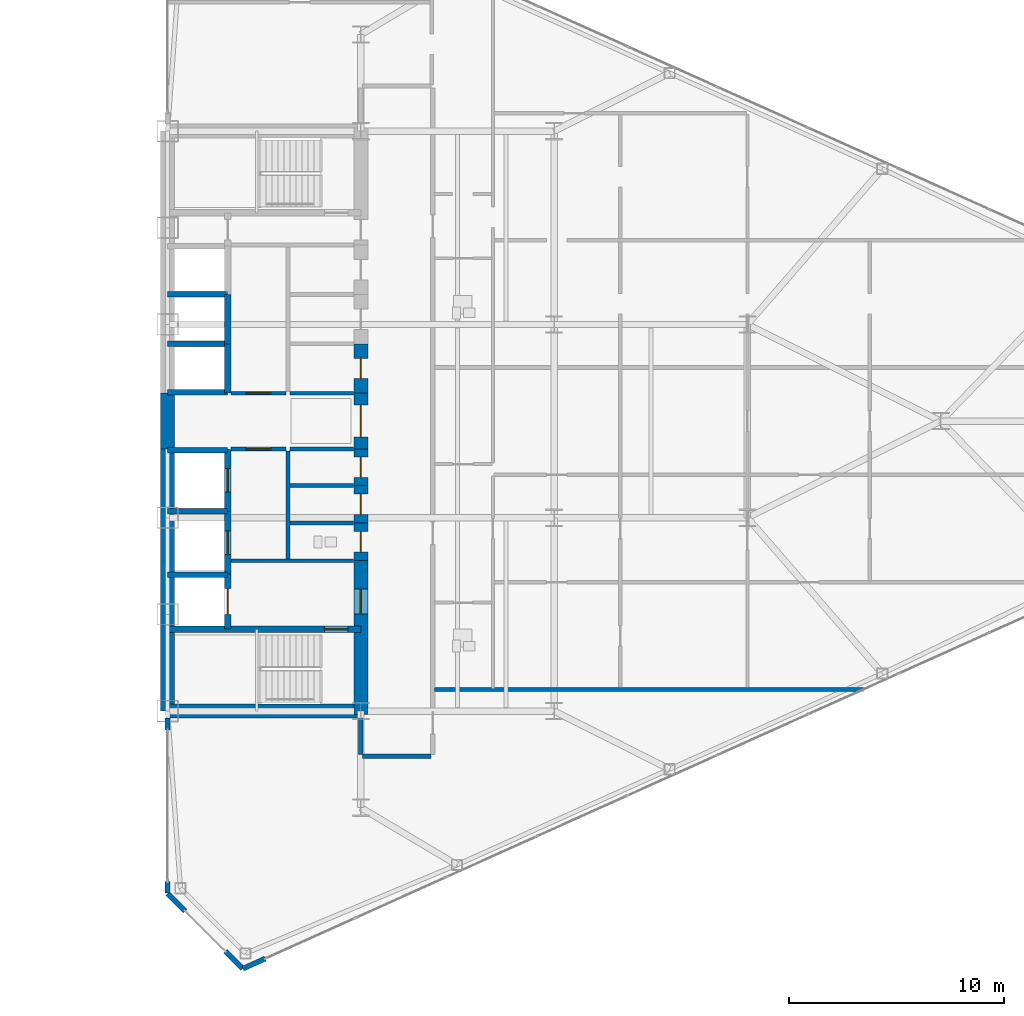
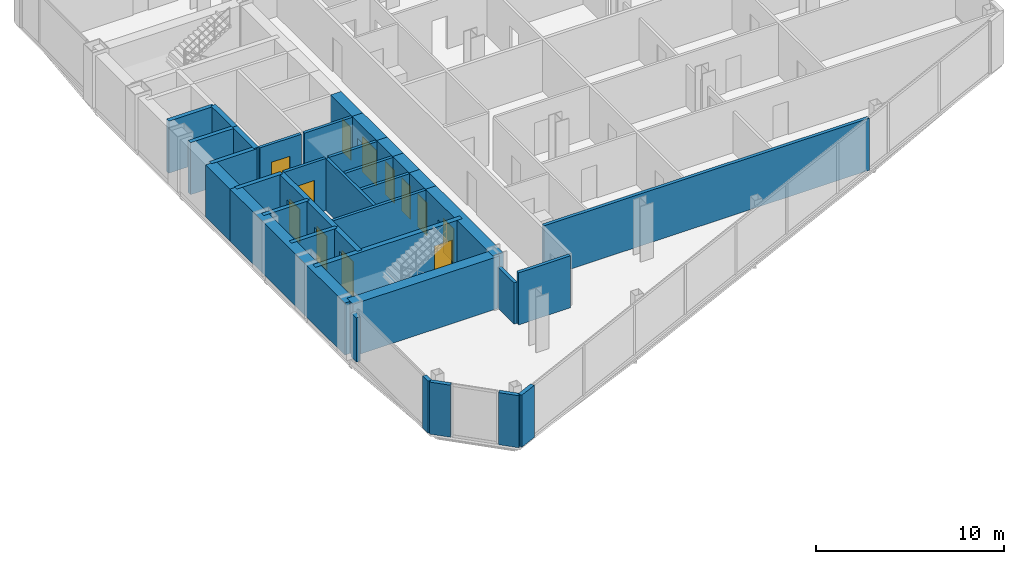
# One storey, part 22 of 27: 37 walls, 12 doors, 12 openings.
"""IFC4 building model written with IfcOpenShell, lengths in metres."""

from ifc_helpers import new_model, si_unit, direction, frame, frame_2d, origin, place, context, subcontext, project, spatial, rectangle, extrude, source, transform, mapped, material, layer, layer_set, type_object, type_shapes, element, fill, save


model = new_model("IFC4")

# Units and contexts
model_context = context("Model", 3, precision=1e-05, world=origin(), true_north=direction((0.0, 1.0)))
body_context = subcontext(model_context, "Body", "Model", "MODEL_VIEW")
ifc_project = project(units=[si_unit("LENGTHUNIT", "METRE"), si_unit("AREAUNIT", "SQUARE_METRE"), si_unit("VOLUMEUNIT", "CUBIC_METRE"), si_unit("PLANEANGLEUNIT", "RADIAN"), si_unit("MASSUNIT", "GRAM", prefix="KILO")], contexts=[model_context])

# Site, building, storey
site_placement = place(None, origin())
site = spatial("IfcSite", under=ifc_project, at=site_placement, CompositionType="ELEMENT")
building_placement = place(site_placement, origin())
building = spatial("IfcBuilding", under=site, at=building_placement, Name="Seokmaru Belvedere", CompositionType="ELEMENT")
storey_placement = place(building_placement, frame((0.0, 0.0, 99.60009765625)))
storey = spatial("IfcBuildingStorey", under=building, at=storey_placement, Name="L26", CompositionType="ELEMENT", Elevation=99.60009765625)

# Walls
ifc_material_1 = material(Name="Fire-Rated Gypsum Shaftwall")
ifc_layer_1 = layer(ifc_material_1, 0.179931640625)
ifc_layer_set_1 = layer_set([ifc_layer_1], Name="Fire-Rated Gypsum Shaftwall")
wall_type_1 = type_object("IfcWallType", Name="Core Service Fire Partition 180", PredefinedType="PARTITIONING", material=ifc_layer_set_1)
wall_1_placement = place(storey_placement, frame((30.449951171875, -6.5, 0.0), z_axis=(0.0, 0.0, 1.0), x_axis=(1.0, 0.0, 0.0)))
element("IfcWall", 1, at=wall_1_placement, inside=storey, type_object=wall_type_1, Name="L26 East Firefighting Lobby Partition", PredefinedType="PARTITIONING", context=body_context, shape_type="SweptSolid", body=[
    extrude(rectangle(XDim=5.699951171875, YDim=0.179931640625, at=frame_2d((2.85009765625, 0.0))), origin(), (0.0, 0.0, 1.0), 3.3798828125),
])
wall_2_placement = place(storey_placement, frame((33.10009765625, -6.419921875, 0.0), z_axis=(0.0, 0.0, 1.0), x_axis=(0.0, 1.0, 0.0)))
element("IfcWall", 2, at=wall_2_placement, inside=storey, type_object=wall_type_1, Name="L26 East South Core Service Back Wall", PredefinedType="PARTITIONING", context=body_context, shape_type="SweptSolid", body=[
    extrude(rectangle(XDim=5.0400390625, YDim=0.179931640625, at=frame_2d((2.52001953125, 0.0))), origin(), (0.0, 0.0, 1.0), 3.3798828125),
])

# Wall, opening, door
wall_3_placement = place(storey_placement, frame((30.449951171875, -1.300048828125, 0.0), z_axis=(0.0, 0.0, 1.0), x_axis=(1.0, 0.0, 0.0)))
wall_3 = element("IfcWall", 3, at=wall_3_placement, inside=storey, type_object=wall_type_1, Name="L26 East South Lift Lobby Foyer Wall", PredefinedType="PARTITIONING", context=body_context, shape_type="SweptSolid", body=[
    extrude(rectangle(XDim=2.570068359375, YDim=0.179931640625, at=frame_2d((1.28515625, 0.0))), origin(), (0.0, 0.0, 1.0), 3.3798828125),
])
opening_1_placement = place(wall_3_placement, frame((0.7099609375, 0.0, 0.0)))
opening_1 = element("IfcOpeningElement", 4, at=opening_1_placement, cuts=wall_3, Name="Opening D02", PredefinedType="OPENING", context=body_context, shape_type="SweptSolid", body=[
    extrude(rectangle(XDim=1.14990234375, YDim=2.199951171875, at=frame_2d((0.574951171875, 1.10009765625))), frame((0.0, 0.10009765625, 0.0), z_axis=(0.0, -1.0, 0.0), x_axis=(1.0, 0.0, 0.0)), (0.0, 0.0, 1.0), 0.199951171875),
])
ifc_material_2 = material(Name="Fire-Rated Steel Leaf", Category="steel")
door_type_1 = type_object("IfcDoorType", Name="Lobby and Vestibule Fire Door 1150x2200", OperationType="NOTDEFINED", PredefinedType="DOOR", material=ifc_material_2)
shared_shape_1 = source(origin(), body_context, "Body", "SweptSolid", [
    extrude(rectangle(XDim=1.14990234375, YDim=2.199951171875, at=frame_2d((0.574951171875, 1.10009765625))), frame((0.0, 0.02490234375, 0.0), z_axis=(0.0, -1.0, 0.0), x_axis=(1.0, 0.0, 0.0)), (0.0, 0.0, 1.0), 0.050048828125),
])
type_shapes(door_type_1, [shared_shape_1])
door_1_placement = place(opening_1_placement, origin())
door_1 = element("IfcDoor", 5, at=door_1_placement, inside=storey, type_object=door_type_1, Name="L26 East South Core Foyer Door", OperationType="SINGLE_SWING_RIGHT", OverallHeight=2.199951171875, OverallWidth=1.14990234375, PredefinedType="DOOR", context=body_context, shape_type="MappedRepresentation", body=[
    mapped(shared_shape_1, transform((0.0, 0.0, 0.0), scale=1.0)),
])
fill(opening_1, door_1)

wall_4_placement = place(storey_placement, frame((30.449951171875, 1.300048828125, 0.0), z_axis=(0.0, 0.0, 1.0), x_axis=(1.0, 0.0, 0.0)))
wall_4 = element("IfcWall", 6, at=wall_4_placement, inside=storey, type_object=wall_type_1, Name="L26 East North Lift Lobby Foyer Wall", PredefinedType="PARTITIONING", context=body_context, shape_type="SweptSolid", body=[
    extrude(rectangle(XDim=2.570068359375, YDim=0.179931640625, at=frame_2d((1.28515625, 0.0))), origin(), (0.0, 0.0, 1.0), 3.3798828125),
])
opening_2_placement = place(wall_4_placement, frame((0.7099609375, 0.0, 0.0)))
opening_2 = element("IfcOpeningElement", 7, at=opening_2_placement, cuts=wall_4, Name="Opening D02", PredefinedType="OPENING", context=body_context, shape_type="SweptSolid", body=[
    extrude(rectangle(XDim=1.14990234375, YDim=2.199951171875, at=frame_2d((0.574951171875, 1.10009765625))), frame((0.0, 0.10009765625, 0.0), z_axis=(0.0, -1.0, 0.0), x_axis=(1.0, 0.0, 0.0)), (0.0, 0.0, 1.0), 0.199951171875),
])
door_2_placement = place(opening_2_placement, origin())
door_2 = element("IfcDoor", 8, at=door_2_placement, inside=storey, type_object=door_type_1, Name="L26 East North Lift Lobby Door", OperationType="SINGLE_SWING_LEFT", OverallHeight=2.199951171875, OverallWidth=1.14990234375, PredefinedType="DOOR", context=body_context, shape_type="MappedRepresentation", body=[
    mapped(shared_shape_1, transform((0.0, 0.0, 0.0), scale=1.0)),
])
fill(opening_2, door_2)

# Walls
for number, where, z_axis, x_axis, name in (
    (9, (33.199951171875, -1.300048828125, 0.0), (0.0, 0.0, 1.0), (1.0, 0.0, 0.0), "L26 East Foyer Side Wall S"),
    (10, (33.199951171875, 1.300048828125, 0.0), (0.0, 0.0, 1.0), (1.0, 0.0, 0.0), "L26 East Foyer Side Wall N"),
    (11, (33.199951171875, -4.75, 0.0), (0.0, 0.0, 1.0), (1.0, 0.0, 0.0), "L26 East Core Service Partition 1"),
    (12, (33.199951171875, -3.0, 0.0), (0.0, 0.0, 1.0), (1.0, 0.0, 0.0), "L26 East Core Service Partition 2"),
):
    element("IfcWall", number, at=place(storey_placement, frame(where, z_axis=z_axis, x_axis=x_axis)), inside=storey, type_object=wall_type_1, Name=name, PredefinedType="PARTITIONING", context=body_context, shape_type="SweptSolid", body=[
        extrude(rectangle(XDim=2.949951171875, YDim=0.179931640625, at=frame_2d((1.47509765625, 0.0))), origin(), (0.0, 0.0, 1.0), 3.3798828125),
    ])
ifc_material_3 = material(Name="Concrete C50 (50 MPa)", Category="concrete")
ifc_layer_2 = layer(ifc_material_3, 0.25)
ifc_layer_set_2 = layer_set([ifc_layer_2], Name="Concrete C50 (50 MPa)")
wall_type_2 = type_object("IfcWallType", Name="Hoistway Transverse Concrete Divider Wall 250", PredefinedType="SHEAR", material=ifc_layer_set_2)
for number, where, z_axis, x_axis, name in (
    (13, (27.5, -7.14990234375, 0.0), (0.0, 0.0, 1.0), (1.0, 0.0, 0.0), "L26 East Hoistway Divider Core Wall 1"),
    (14, (27.5, -4.199951171875, 0.0), (0.0, 0.0, 1.0), (1.0, 0.0, 0.0), "L26 East Hoistway Divider Core Wall 2"),
    (15, (27.5, -1.35009765625, 0.0), (0.0, 0.0, 1.0), (1.0, 0.0, 0.0), "L26 East Hoistway Divider Core Wall 3"),
    (16, (27.5, 1.35009765625, 0.0), (0.0, 0.0, 1.0), (1.0, 0.0, 0.0), "L26 East Hoistway Divider Core Wall 4"),
    (17, (27.5, 3.60009765625, 0.0), (0.0, 0.0, 1.0), (1.0, 0.0, 0.0), "L26 East Hoistway Divider Core Wall 5"),
    (18, (27.5, 5.89990234375, 0.0), (0.0, 0.0, 1.0), (1.0, 0.0, 0.0), "L26 East Hoistway Divider Core Wall 6"),
):
    element("IfcWall", number, at=place(storey_placement, frame(where, z_axis=z_axis, x_axis=x_axis)), inside=storey, type_object=wall_type_2, Name=name, PredefinedType="SHEAR", context=body_context, shape_type="SweptSolid", body=[
        extrude(rectangle(XDim=2.800048828125, YDim=0.25, at=frame_2d((1.39990234375, 0.0))), origin(), (0.0, 0.0, 1.0), 3.3798828125),
    ])
ifc_layer_3 = layer(ifc_material_1, 0.199951171875)
ifc_layer_set_3 = layer_set([ifc_layer_3], Name="Fire-Rated Gypsum Shaftwall")
wall_type_3 = type_object("IfcWallType", Name="Inter-Tenancy Fire Compartment Partition 200", PredefinedType="PARTITIONING", material=ifc_layer_set_3)
wall_5_placement = place(storey_placement, frame((36.5849609375, -15.60009765625, 0.0), z_axis=(0.0, 0.0, 1.0), x_axis=(1.0, 0.0, 0.0)))
element("IfcWall", 19, at=wall_5_placement, inside=storey, type_object=wall_type_3, Name="L26 Interior Partition 002", PredefinedType="PARTITIONING", context=body_context, shape_type="SweptSolid", body=[
    extrude(rectangle(XDim=3.179931640625, YDim=0.199951171875, at=frame_2d((1.58984375, 0.0))), origin(), (0.0, 0.0, 1.0), 3.3798828125),
])
wall_6_placement = place(storey_placement, frame((39.929931640625, -12.5, 0.0), z_axis=(0.0, 0.0, 1.0), x_axis=(1.0, 0.0, 0.0)))
element("IfcWall", 20, at=wall_6_placement, inside=storey, type_object=wall_type_3, Name="L26 Interior Partition 004", PredefinedType="PARTITIONING", context=body_context, shape_type="SweptSolid", body=[
    extrude(rectangle(XDim=19.970947265625, YDim=0.199951171875, at=frame_2d((9.9853515625, 0.0))), origin(), (0.0, 0.0, 1.0), 3.3798828125),
])
wall_7_placement = place(storey_placement, frame((36.5, -15.514892578125, 0.0), z_axis=(0.0, 0.0, 1.0), x_axis=(0.0, 1.0, 0.0)))
element("IfcWall", 21, at=wall_7_placement, inside=storey, type_object=wall_type_3, Name="L26 Interior Partition 043", PredefinedType="PARTITIONING", context=body_context, shape_type="SweptSolid", body=[
    extrude(rectangle(XDim=1.684814453125, YDim=0.199951171875, at=frame_2d((0.84228515625, 0.0))), origin(), (0.0, 0.0, 1.0), 2.679931640625),
])

# Wall, opening, door
ifc_layer_4 = layer(ifc_material_3, 0.300048828125)
ifc_layer_set_4 = layer_set([ifc_layer_4], Name="Concrete C50 (50 MPa)")
wall_type_4 = type_object("IfcWallType", Name="Internal Core Stair and Hoistway Wall 300", PredefinedType="SHEAR", material=ifc_layer_set_4)
wall_8_placement = place(storey_placement, frame((27.5, -9.699951171875, 0.0), z_axis=(0.0, 0.0, 1.0), x_axis=(1.0, 0.0, 0.0)))
wall_8 = element("IfcWall", 22, at=wall_8_placement, inside=storey, type_object=wall_type_4, Name="L26 East Stair ST-1 Enclosure Wall", PredefinedType="SHEAR", context=body_context, shape_type="SweptSolid", body=[
    extrude(rectangle(XDim=9.0, YDim=0.300048828125, at=frame_2d((4.5, 0.0))), origin(), (0.0, 0.0, 1.0), 3.3798828125),
])
opening_3_placement = place(wall_8_placement, frame((7.300048828125, 0.0, 0.0)))
opening_3 = element("IfcOpeningElement", 23, at=opening_3_placement, cuts=wall_8, Name="Opening D01", PredefinedType="OPENING", context=body_context, shape_type="SweptSolid", body=[
    extrude(rectangle(XDim=1.10009765625, YDim=2.199951171875, at=frame_2d((0.550048828125, 1.10009765625))), frame((0.0, 0.16015625, 0.0), z_axis=(0.0, -1.0, 0.0), x_axis=(1.0, 0.0, 0.0)), (0.0, 0.0, 1.0), 0.320068359375),
])
door_type_2 = type_object("IfcDoorType", Name="Special Escape Stair Smokeproof Fire Door 1100x2200", OperationType="NOTDEFINED", PredefinedType="DOOR", material=ifc_material_2)
shared_shape_2 = source(origin(), body_context, "Body", "SweptSolid", [
    extrude(rectangle(XDim=1.10009765625, YDim=2.199951171875, at=frame_2d((0.550048828125, 1.10009765625))), frame((0.0, 0.02490234375, 0.0), z_axis=(0.0, -1.0, 0.0), x_axis=(1.0, 0.0, 0.0)), (0.0, 0.0, 1.0), 0.050048828125),
])
type_shapes(door_type_2, [shared_shape_2])
door_3_placement = place(opening_3_placement, frame((1.10009765625, 0.0, 0.0), z_axis=(0.0, 0.0, 1.0), x_axis=(-1.0, 0.0, 0.0)))
door_3 = element("IfcDoor", 24, at=door_3_placement, inside=storey, type_object=door_type_2, Name="L26 East Special Escape Stair ST-1 Door", OperationType="SINGLE_SWING_RIGHT", OverallHeight=2.199951171875, OverallWidth=1.10009765625, PredefinedType="DOOR", context=body_context, shape_type="MappedRepresentation", body=[
    mapped(shared_shape_2, transform((0.0, 0.0, 0.0), scale=1.0)),
])
fill(opening_3, door_3)

wall_9_placement = place(storey_placement, frame((30.300048828125, -9.679931640625, 0.0), z_axis=(0.0, 0.0, 1.0), x_axis=(0.0, 1.0, 0.0)))
wall_9 = element("IfcWall", 25, at=wall_9_placement, inside=storey, type_object=wall_type_4, Name="L26 East Firefighting Lift Shaft Front Wall", PredefinedType="SHEAR", context=body_context, shape_type="SweptSolid", body=[
    extrude(rectangle(XDim=2.559814453125, YDim=0.300048828125, at=frame_2d((1.27978515625, 0.0))), origin(), (0.0, 0.0, 1.0), 3.3798828125),
])
opening_4_placement = place(wall_9_placement, frame((0.679931640625, 0.0, 0.0)))
opening_4 = element("IfcOpeningElement", 26, at=opening_4_placement, cuts=wall_9, Name="Opening LD2", PredefinedType="OPENING", context=body_context, shape_type="SweptSolid", body=[
    extrude(rectangle(XDim=1.199951171875, YDim=2.25, at=frame_2d((0.60009765625, 1.125))), frame((0.0, 0.16015625, 0.0), z_axis=(0.0, -1.0, 0.0), x_axis=(1.0, 0.0, 0.0)), (0.0, 0.0, 1.0), 0.320068359375),
])
ifc_material_4 = material(Name="Stainless Steel 316", Category="steel")
door_type_3 = type_object("IfcDoorType", Name="Firefighting Lift Sliding Landing Door 1200x2250", OperationType="DOUBLE_DOOR_SLIDING", PredefinedType="DOOR", material=ifc_material_4)
shared_shape_3 = source(origin(), body_context, "Body", "SweptSolid", [
    extrude(rectangle(XDim=1.199951171875, YDim=2.25, at=frame_2d((0.60009765625, 1.125))), frame((0.0, 0.02490234375, 0.0), z_axis=(0.0, -1.0, 0.0), x_axis=(1.0, 0.0, 0.0)), (0.0, 0.0, 1.0), 0.050048828125),
])
type_shapes(door_type_3, [shared_shape_3])
door_4_placement = place(opening_4_placement, origin())
door_4 = element("IfcDoor", 27, at=door_4_placement, inside=storey, type_object=door_type_3, Name="L26 East Firefighting Lift Landing Door", OperationType="DOUBLE_DOOR_SLIDING", OverallHeight=2.25, OverallWidth=1.199951171875, PredefinedType="DOOR", context=body_context, shape_type="MappedRepresentation", body=[
    mapped(shared_shape_3, transform((0.0, 0.0, 0.0), scale=1.0)),
])
fill(opening_4, door_4)

wall_10_placement = place(storey_placement, frame((30.300048828125, -7.1201171875, 0.0), z_axis=(0.0, 0.0, 1.0), x_axis=(0.0, 1.0, 0.0)))
wall_10 = element("IfcWall", 28, at=wall_10_placement, inside=storey, type_object=wall_type_4, Name="L26 East Low-Rise Lift PL-1 Front Wall", PredefinedType="SHEAR", context=body_context, shape_type="SweptSolid", body=[
    extrude(rectangle(XDim=2.920166015625, YDim=0.300048828125, at=frame_2d((1.4599609375, 0.0))), origin(), (0.0, 0.0, 1.0), 3.3798828125),
])
opening_5_placement = place(wall_10_placement, frame((0.909912109375, 0.0, 0.0)))
opening_5 = element("IfcOpeningElement", 29, at=opening_5_placement, cuts=wall_10, Name="Opening LD1", PredefinedType="OPENING", context=body_context, shape_type="SweptSolid", body=[
    extrude(rectangle(XDim=1.10009765625, YDim=2.199951171875, at=frame_2d((0.550048828125, 1.10009765625))), frame((0.0, 0.16015625, 0.0), z_axis=(0.0, -1.0, 0.0), x_axis=(1.0, 0.0, 0.0)), (0.0, 0.0, 1.0), 0.320068359375),
])
door_type_4 = type_object("IfcDoorType", Name="Passenger Lift Sliding Landing Door 1100x2200", OperationType="DOUBLE_DOOR_SLIDING", PredefinedType="DOOR", material=ifc_material_4)
shared_shape_4 = source(origin(), body_context, "Body", "SweptSolid", [
    extrude(rectangle(XDim=1.10009765625, YDim=2.199951171875, at=frame_2d((0.550048828125, 1.10009765625))), frame((0.0, 0.02490234375, 0.0), z_axis=(0.0, -1.0, 0.0), x_axis=(1.0, 0.0, 0.0)), (0.0, 0.0, 1.0), 0.050048828125),
])
type_shapes(door_type_4, [shared_shape_4])
door_5_placement = place(opening_5_placement, origin())
door_5 = element("IfcDoor", 30, at=door_5_placement, inside=storey, type_object=door_type_4, Name="L26 East Low-Rise Lift PL-1 Landing Door", OperationType="DOUBLE_DOOR_SLIDING", OverallHeight=2.199951171875, OverallWidth=1.10009765625, PredefinedType="DOOR", context=body_context, shape_type="MappedRepresentation", body=[
    mapped(shared_shape_4, transform((0.0, 0.0, 0.0), scale=1.0)),
])
fill(opening_5, door_5)

wall_11_placement = place(storey_placement, frame((30.300048828125, -4.199951171875, 0.0), z_axis=(0.0, 0.0, 1.0), x_axis=(0.0, 1.0, 0.0)))
wall_11 = element("IfcWall", 31, at=wall_11_placement, inside=storey, type_object=wall_type_4, Name="L26 East Low-Rise Lift PL-2 Front Wall", PredefinedType="SHEAR", context=body_context, shape_type="SweptSolid", body=[
    extrude(rectangle(XDim=2.8798828125, YDim=0.300048828125, at=frame_2d((1.43994140625, 0.0))), origin(), (0.0, 0.0, 1.0), 3.3798828125),
])
opening_6_placement = place(wall_11_placement, frame((0.889892578125, 0.0, 0.0)))
opening_6 = element("IfcOpeningElement", 32, at=opening_6_placement, cuts=wall_11, Name="Opening LD1", PredefinedType="OPENING", context=body_context, shape_type="SweptSolid", body=[
    extrude(rectangle(XDim=1.10009765625, YDim=2.199951171875, at=frame_2d((0.550048828125, 1.10009765625))), frame((0.0, 0.16015625, 0.0), z_axis=(0.0, -1.0, 0.0), x_axis=(1.0, 0.0, 0.0)), (0.0, 0.0, 1.0), 0.320068359375),
])
door_6_placement = place(opening_6_placement, origin())
door_6 = element("IfcDoor", 33, at=door_6_placement, inside=storey, type_object=door_type_4, Name="L26 East Low-Rise Lift PL-2 Landing Door", OperationType="DOUBLE_DOOR_SLIDING", OverallHeight=2.199951171875, OverallWidth=1.10009765625, PredefinedType="DOOR", context=body_context, shape_type="MappedRepresentation", body=[
    mapped(shared_shape_4, transform((0.0, 0.0, 0.0), scale=1.0)),
])
fill(opening_6, door_6)

# Walls
wall_12_placement = place(storey_placement, frame((30.300048828125, 1.320068359375, 0.0), z_axis=(0.0, 0.0, 1.0), x_axis=(0.0, 1.0, 0.0)))
element("IfcWall", 34, at=wall_12_placement, inside=storey, type_object=wall_type_4, Name="L26 East North Hoistway Wall PH1", PredefinedType="SHEAR", context=body_context, shape_type="SweptSolid", body=[
    extrude(rectangle(XDim=2.280029296875, YDim=0.300048828125, at=frame_2d((1.14013671875, 0.0))), origin(), (0.0, 0.0, 1.0), 3.3798828125),
])
wall_13_placement = place(storey_placement, frame((30.300048828125, 3.60009765625, 0.0), z_axis=(0.0, 0.0, 1.0), x_axis=(0.0, 1.0, 0.0)))
element("IfcWall", 35, at=wall_13_placement, inside=storey, type_object=wall_type_4, Name="L26 East North Hoistway Wall PH2", PredefinedType="SHEAR", context=body_context, shape_type="SweptSolid", body=[
    extrude(rectangle(XDim=2.2998046875, YDim=0.300048828125, at=frame_2d((1.14990234375, 0.0))), origin(), (0.0, 0.0, 1.0), 3.3798828125),
])
ifc_material_5 = material(Name="Concrete C60 (60 MPa)", Category="concrete")
ifc_layer_5 = layer(ifc_material_5, 0.64990234375)
ifc_layer_set_5 = layer_set([ifc_layer_5], Name="Concrete C60 (60 MPa)")
wall_type_5 = type_object("IfcWallType", Name="Mid-Low Reinforced Concrete Core Wall 650", PredefinedType="SHEAR", material=ifc_layer_set_5)
wall_14_placement = place(storey_placement, frame((27.5, -13.5, 0.0), z_axis=(0.0, 0.0, 1.0), x_axis=(0.0, 1.0, 0.0)))
element("IfcWall", 36, at=wall_14_placement, inside=storey, type_object=wall_type_5, Name="L26 East Portal Spine Core Wall South", PredefinedType="SHEAR", context=body_context, shape_type="SweptSolid", body=[
    extrude(rectangle(XDim=12.199951171875, YDim=0.64990234375, at=frame_2d((6.10009765625, 0.0))), origin(), (0.0, 0.0, 1.0), 3.3798828125),
])
wall_15_placement = place(storey_placement, frame((27.5, -1.300048828125, 0.0), z_axis=(0.0, 0.0, 1.0), x_axis=(0.0, 1.0, 0.0)))
element("IfcWall", 37, at=wall_15_placement, inside=storey, type_object=wall_type_5, Name="L26 East Portal Spine Core Wall Center", PredefinedType="SHEAR", context=body_context, shape_type="SweptSolid", body=[
    extrude(rectangle(XDim=2.60009765625, YDim=0.64990234375, at=frame_2d((1.300048828125, 0.0))), origin(), (0.0, 0.0, 1.0), 3.3798828125),
])
wall_16_placement = place(storey_placement, frame((27.5, -13.5, 0.0), z_axis=(0.0, 0.0, 1.0), x_axis=(1.0, 0.0, 0.0)))
element("IfcWall", 38, at=wall_16_placement, inside=storey, type_object=wall_type_5, Name="L26 East South Core Wall", PredefinedType="SHEAR", context=body_context, shape_type="SweptSolid", body=[
    extrude(rectangle(XDim=9.0, YDim=0.64990234375, at=frame_2d((4.5, 0.0))), origin(), (0.0, 0.0, 1.0), 3.3798828125),
])

# Wall, opening, door
wall_17_placement = place(storey_placement, frame((36.5, -13.64990234375, 0.0), z_axis=(0.0, 0.0, 1.0), x_axis=(0.0, 1.0, 0.0)))
wall_17 = element("IfcWall", 39, at=wall_17_placement, inside=storey, type_object=wall_type_5, Name="L26 East West Core Wall FF", PredefinedType="SHEAR", context=body_context, shape_type="SweptSolid", body=[
    extrude(rectangle(XDim=7.14990234375, YDim=0.64990234375, at=frame_2d((3.574951171875, 0.0))), origin(), (0.0, 0.0, 1.0), 3.3798828125),
])
opening_7_placement = place(wall_17_placement, frame((4.675048828125, 0.0, 0.0)))
opening_7 = element("IfcOpeningElement", 40, at=opening_7_placement, cuts=wall_17, Name="Opening D02", PredefinedType="OPENING", context=body_context, shape_type="SweptSolid", body=[
    extrude(rectangle(XDim=1.14990234375, YDim=2.199951171875, at=frame_2d((0.574951171875, 1.10009765625))), frame((0.0, 0.3349609375, 0.0), z_axis=(0.0, -1.0, 0.0), x_axis=(1.0, 0.0, 0.0)), (0.0, 0.0, 1.0), 0.669921875),
])
door_7_placement = place(opening_7_placement, origin())
door_7 = element("IfcDoor", 41, at=door_7_placement, inside=storey, type_object=door_type_1, Name="L26 East Firefighting Lobby Door", OperationType="SINGLE_SWING_RIGHT", OverallHeight=2.199951171875, OverallWidth=1.14990234375, PredefinedType="DOOR", context=body_context, shape_type="MappedRepresentation", body=[
    mapped(shared_shape_1, transform((0.0, 0.0, 0.0), scale=1.0)),
])
fill(opening_7, door_7)

wall_18_placement = place(storey_placement, frame((36.5, -1.300048828125, 0.0), z_axis=(0.0, 0.0, 1.0), x_axis=(0.0, 1.0, 0.0)))
wall_18 = element("IfcWall", 42, at=wall_18_placement, inside=storey, type_object=wall_type_5, Name="L26 East West Core Wall FOY", PredefinedType="SHEAR", context=body_context, shape_type="SweptSolid", body=[
    extrude(rectangle(XDim=2.60009765625, YDim=0.64990234375, at=frame_2d((1.300048828125, 0.0))), origin(), (0.0, 0.0, 1.0), 3.3798828125),
])
opening_8_placement = place(wall_18_placement, frame((0.550048828125, 0.0, 0.0)))
opening_8 = element("IfcOpeningElement", 43, at=opening_8_placement, cuts=wall_18, Name="Opening D08", PredefinedType="OPENING", context=body_context, shape_type="SweptSolid", body=[
    extrude(rectangle(XDim=1.5, YDim=2.300048828125, at=frame_2d((0.75, 1.14990234375))), frame((0.0, 0.3349609375, 0.0), z_axis=(0.0, -1.0, 0.0), x_axis=(1.0, 0.0, 0.0)), (0.0, 0.0, 1.0), 0.669921875),
])
door_type_5 = type_object("IfcDoorType", Name="Cross-Corridor Compartment Double Fire Door 1500x2300", OperationType="DOUBLE_SWING_LEFT", PredefinedType="DOOR", material=ifc_material_2)
shared_shape_5 = source(origin(), body_context, "Body", "SweptSolid", [
    extrude(rectangle(XDim=1.5, YDim=2.300048828125, at=frame_2d((0.75, 1.14990234375))), frame((0.0, 0.02490234375, 0.0), z_axis=(0.0, -1.0, 0.0), x_axis=(1.0, 0.0, 0.0)), (0.0, 0.0, 1.0), 0.050048828125),
])
type_shapes(door_type_5, [shared_shape_5])
door_8_placement = place(opening_8_placement, origin())
door_8 = element("IfcDoor", 44, at=door_8_placement, inside=storey, type_object=door_type_5, Name="L26 East Core Foyer Compartment Door", OperationType="DOUBLE_SWING_LEFT", OverallHeight=2.300048828125, OverallWidth=1.5, PredefinedType="DOOR", context=body_context, shape_type="MappedRepresentation", body=[
    mapped(shared_shape_5, transform((0.0, 0.0, 0.0), scale=1.0)),
])
fill(opening_8, door_8)

wall_19_placement = place(storey_placement, frame((36.5, -6.5, 0.0), z_axis=(0.0, 0.0, 1.0), x_axis=(0.0, 1.0, 0.0)))
wall_19 = element("IfcWall", 45, at=wall_19_placement, inside=storey, type_object=wall_type_5, Name="L26 East West Core Wall CS1", PredefinedType="SHEAR", context=body_context, shape_type="SweptSolid", body=[
    extrude(rectangle(XDim=1.75, YDim=0.64990234375, at=frame_2d((0.875, 0.0))), origin(), (0.0, 0.0, 1.0), 3.3798828125),
])
opening_9_placement = place(wall_19_placement, frame((0.39990234375, 0.0, 0.0)))
opening_9 = element("IfcOpeningElement", 46, at=opening_9_placement, cuts=wall_19, Name="Opening D04", PredefinedType="OPENING", context=body_context, shape_type="SweptSolid", body=[
    extrude(rectangle(XDim=0.949951171875, YDim=2.14990234375, at=frame_2d((0.47509765625, 1.074951171875))), frame((0.0, 0.3349609375, 0.0), z_axis=(0.0, -1.0, 0.0), x_axis=(1.0, 0.0, 0.0)), (0.0, 0.0, 1.0), 0.669921875),
])
door_type_6 = type_object("IfcDoorType", Name="Core Service Room Fire Door 950x2150", OperationType="NOTDEFINED", PredefinedType="DOOR", material=ifc_material_2)
shared_shape_6 = source(origin(), body_context, "Body", "SweptSolid", [
    extrude(rectangle(XDim=0.949951171875, YDim=2.14990234375, at=frame_2d((0.47509765625, 1.074951171875))), frame((0.0, 0.02490234375, 0.0), z_axis=(0.0, -1.0, 0.0), x_axis=(1.0, 0.0, 0.0)), (0.0, 0.0, 1.0), 0.050048828125),
])
type_shapes(door_type_6, [shared_shape_6])
door_9_placement = place(opening_9_placement, origin())
door_9 = element("IfcDoor", 47, at=door_9_placement, inside=storey, type_object=door_type_6, Name="L26 East Core Service Room Door 1", OperationType="SINGLE_SWING_RIGHT", OverallHeight=2.14990234375, OverallWidth=0.949951171875, PredefinedType="DOOR", context=body_context, shape_type="MappedRepresentation", body=[
    mapped(shared_shape_6, transform((0.0, 0.0, 0.0), scale=1.0)),
])
fill(opening_9, door_9)

wall_20_placement = place(storey_placement, frame((36.5, -4.75, 0.0), z_axis=(0.0, 0.0, 1.0), x_axis=(0.0, 1.0, 0.0)))
wall_20 = element("IfcWall", 48, at=wall_20_placement, inside=storey, type_object=wall_type_5, Name="L26 East West Core Wall CS2", PredefinedType="SHEAR", context=body_context, shape_type="SweptSolid", body=[
    extrude(rectangle(XDim=1.75, YDim=0.64990234375, at=frame_2d((0.875, 0.0))), origin(), (0.0, 0.0, 1.0), 3.3798828125),
])
opening_10_placement = place(wall_20_placement, frame((0.39990234375, 0.0, 0.0)))
opening_10 = element("IfcOpeningElement", 49, at=opening_10_placement, cuts=wall_20, Name="Opening D04", PredefinedType="OPENING", context=body_context, shape_type="SweptSolid", body=[
    extrude(rectangle(XDim=0.949951171875, YDim=2.14990234375, at=frame_2d((0.47509765625, 1.074951171875))), frame((0.0, 0.3349609375, 0.0), z_axis=(0.0, -1.0, 0.0), x_axis=(1.0, 0.0, 0.0)), (0.0, 0.0, 1.0), 0.669921875),
])
door_10_placement = place(opening_10_placement, origin())
door_10 = element("IfcDoor", 50, at=door_10_placement, inside=storey, type_object=door_type_6, Name="L26 East Core Service Room Door 2", OperationType="SINGLE_SWING_LEFT", OverallHeight=2.14990234375, OverallWidth=0.949951171875, PredefinedType="DOOR", context=body_context, shape_type="MappedRepresentation", body=[
    mapped(shared_shape_6, transform((0.0, 0.0, 0.0), scale=1.0)),
])
fill(opening_10, door_10)

wall_21_placement = place(storey_placement, frame((36.5, -3.0, 0.0), z_axis=(0.0, 0.0, 1.0), x_axis=(0.0, 1.0, 0.0)))
wall_21 = element("IfcWall", 51, at=wall_21_placement, inside=storey, type_object=wall_type_5, Name="L26 East West Core Wall CS3", PredefinedType="SHEAR", context=body_context, shape_type="SweptSolid", body=[
    extrude(rectangle(XDim=1.699951171875, YDim=0.64990234375, at=frame_2d((0.85009765625, 0.0))), origin(), (0.0, 0.0, 1.0), 3.3798828125),
])
opening_11_placement = place(wall_21_placement, frame((0.375, 0.0, 0.0)))
opening_11 = element("IfcOpeningElement", 52, at=opening_11_placement, cuts=wall_21, Name="Opening D04", PredefinedType="OPENING", context=body_context, shape_type="SweptSolid", body=[
    extrude(rectangle(XDim=0.949951171875, YDim=2.14990234375, at=frame_2d((0.47509765625, 1.074951171875))), frame((0.0, 0.3349609375, 0.0), z_axis=(0.0, -1.0, 0.0), x_axis=(1.0, 0.0, 0.0)), (0.0, 0.0, 1.0), 0.669921875),
])
door_11_placement = place(opening_11_placement, origin())
door_11 = element("IfcDoor", 53, at=door_11_placement, inside=storey, type_object=door_type_6, Name="L26 East Core Service Room Door 3", OperationType="SINGLE_SWING_RIGHT", OverallHeight=2.14990234375, OverallWidth=0.949951171875, PredefinedType="DOOR", context=body_context, shape_type="MappedRepresentation", body=[
    mapped(shared_shape_6, transform((0.0, 0.0, 0.0), scale=1.0)),
])
fill(opening_11, door_11)

wall_22_placement = place(storey_placement, frame((36.5, 1.300048828125, 0.0), z_axis=(0.0, 0.0, 1.0), x_axis=(0.0, 1.0, 0.0)))
wall_22 = element("IfcWall", 54, at=wall_22_placement, inside=storey, type_object=wall_type_5, Name="L26 East West Core Wall CS4", PredefinedType="SHEAR", context=body_context, shape_type="SweptSolid", body=[
    extrude(rectangle(XDim=2.300048828125, YDim=0.64990234375, at=frame_2d((1.14990234375, 0.0))), origin(), (0.0, 0.0, 1.0), 3.3798828125),
])
opening_12_placement = place(wall_22_placement, frame((0.675048828125, 0.0, 0.0)))
opening_12 = element("IfcOpeningElement", 55, at=opening_12_placement, cuts=wall_22, Name="Opening D04", PredefinedType="OPENING", context=body_context, shape_type="SweptSolid", body=[
    extrude(rectangle(XDim=0.949951171875, YDim=2.14990234375, at=frame_2d((0.47509765625, 1.074951171875))), frame((0.0, 0.3349609375, 0.0), z_axis=(0.0, -1.0, 0.0), x_axis=(1.0, 0.0, 0.0)), (0.0, 0.0, 1.0), 0.669921875),
])
door_12_placement = place(opening_12_placement, origin())
door_12 = element("IfcDoor", 56, at=door_12_placement, inside=storey, type_object=door_type_6, Name="L26 East Core Service Room Door 4", OperationType="SINGLE_SWING_LEFT", OverallHeight=2.14990234375, OverallWidth=0.949951171875, PredefinedType="DOOR", context=body_context, shape_type="MappedRepresentation", body=[
    mapped(shared_shape_6, transform((0.0, 0.0, 0.0), scale=1.0)),
])
fill(opening_12, door_12)

# Walls
ifc_material_6 = material(Name="Anodised Bronze Aluminium", Category="aluminium")
ifc_layer_6 = layer(ifc_material_6, 0.239990234375)
ifc_layer_set_6 = layer_set([ifc_layer_6], Name="Anodised Bronze Aluminium")
wall_type_6 = type_object("IfcWallType", Name="Tower Corner Spandrel Closure Wall 240", PredefinedType="SOLIDWALL", material=ifc_layer_set_6)
wall_23_placement = place(storey_placement, frame((31.009033203125, -25.495849609375, 0.0), z_axis=(0.0, 0.0, 1.0), x_axis=(0.911929519623, 0.410346866979, 0.0)))
element("IfcWall", 57, at=wall_23_placement, inside=storey, type_object=wall_type_6, Name="L26 E Corner Closure Pier 1A", PredefinedType="SOLIDWALL", context=body_context, shape_type="SweptSolid", body=[
    extrude(rectangle(XDim=1.139892578125, YDim=0.239990234375, at=frame_2d((0.56982421875, 0.0))), origin(), (0.0, 0.0, 1.0), 3.3798828125),
])
wall_24_placement = place(storey_placement, frame((27.5, -21.97998046875, 0.0), z_axis=(0.0, 0.0, 1.0), x_axis=(0.0, 1.0, 0.0)))
element("IfcWall", 58, at=wall_24_placement, inside=storey, type_object=wall_type_6, Name="L26 E Spine Closure Pier 1A", PredefinedType="SOLIDWALL", context=body_context, shape_type="SweptSolid", body=[
    extrude(rectangle(XDim=0.550048828125, YDim=0.239990234375, at=frame_2d((0.27490234375, 0.0))), origin(), (0.0, 0.0, 1.0), 3.3798828125),
])
wall_25_placement = place(storey_placement, frame((27.5, -14.3798828125, 0.0), z_axis=(0.0, 0.0, 1.0), x_axis=(0.0, 1.0, 0.0)))
element("IfcWall", 59, at=wall_25_placement, inside=storey, type_object=wall_type_6, Name="L26 E Spine Closure Pier 1B", PredefinedType="SOLIDWALL", context=body_context, shape_type="SweptSolid", body=[
    extrude(rectangle(XDim=0.5498046875, YDim=0.239990234375, at=frame_2d((0.27490234375, 0.0))), origin(), (0.0, 0.0, 1.0), 2.8798828125),
])
for number, where, z_axis, x_axis, name in (
    (60, (27.507080078125, -22.007080078125, 0.0), (0.0, 0.0, 1.0), (0.707106781187, -0.707106781187, 0.0), "L26 E Corner Closure Pier 6A"),
    (61, (30.186767578125, -24.686767578125, 0.0), (0.0, 0.0, 1.0), (0.707106781187, -0.707106781187, 0.0), "L26 E Corner Closure Pier 6B"),
):
    element("IfcWall", number, at=place(storey_placement, frame(where, z_axis=z_axis, x_axis=x_axis)), inside=storey, type_object=wall_type_6, Name=name, PredefinedType="SOLIDWALL", context=body_context, shape_type="SweptSolid", body=[
        extrude(rectangle(XDim=1.14013671875, YDim=0.239990234375, at=frame_2d((0.570068359375, 0.0))), origin(), (0.0, 0.0, 1.0), 3.3798828125),
    ])

save(model, "model.ifc")
